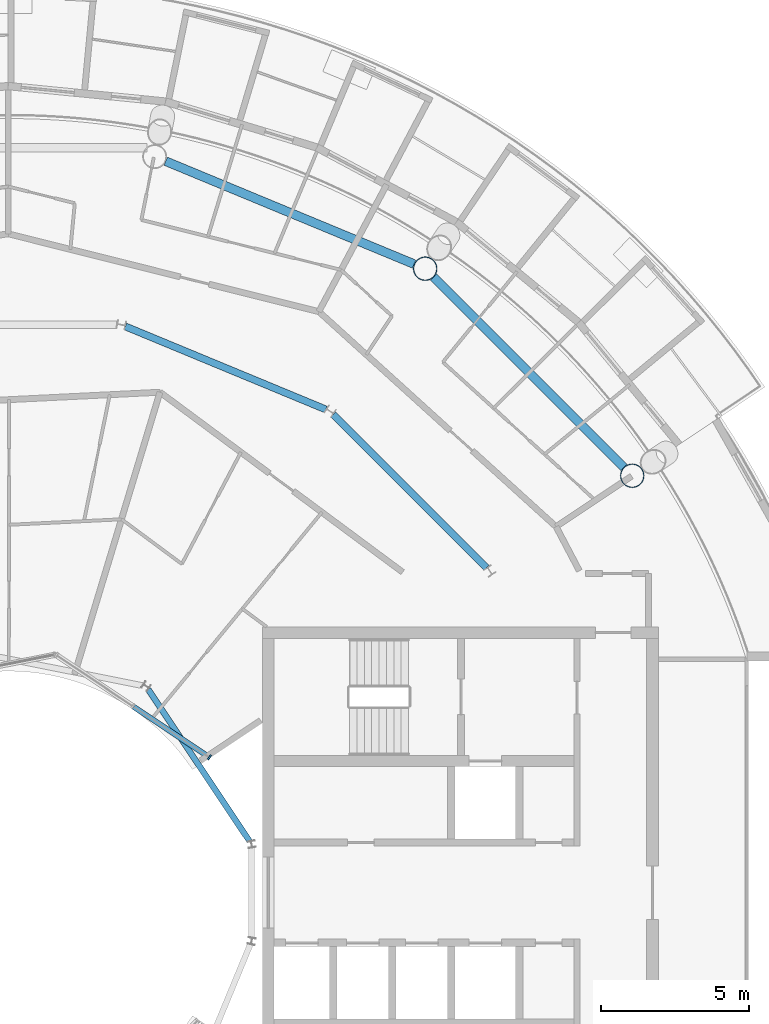
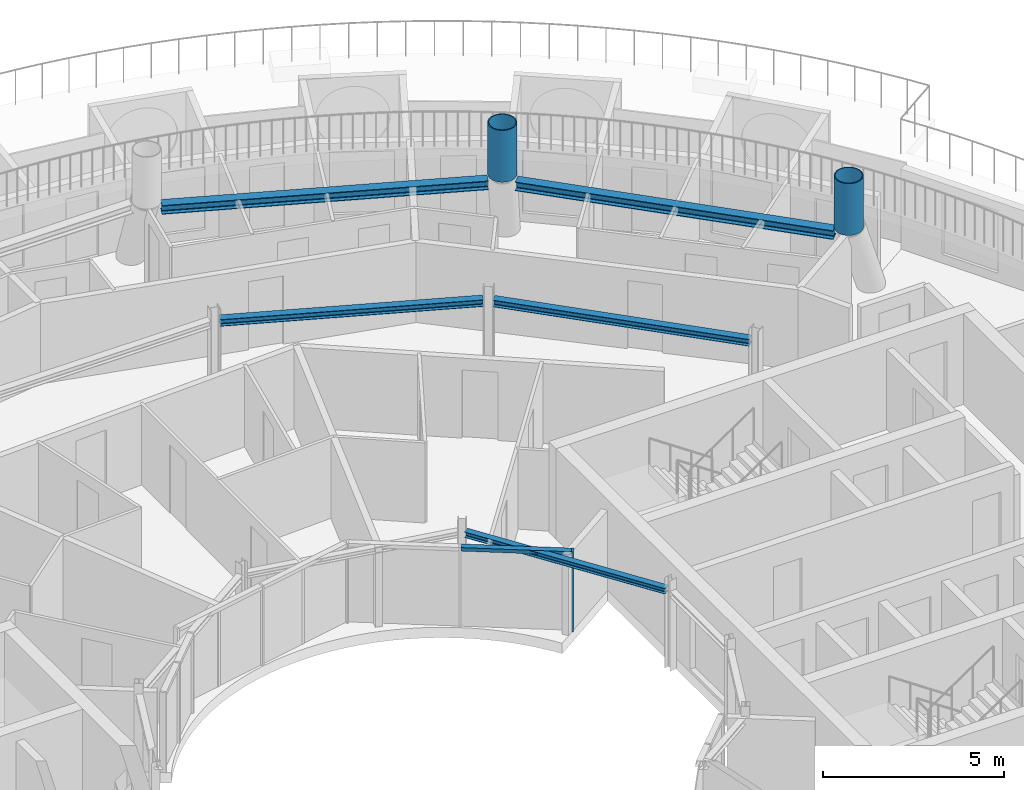
# One storey, part 10 of 29: 5 beams, 4 members, 1 element without a shape of its own.
"""IFC4 building model written with IfcOpenShell, lengths in metres."""

from ifc_helpers import new_model, si_unit, direction, frame, origin, origin_2d, place, context, subcontext, project, spatial, rectangle, hollow_circle, i_section, extrude, material, layer, layer_set, material_profile, profile_set, type_object, element, aggregate, save


model = new_model("IFC4")

# Units and contexts
model_context = context("Model", 3, precision=1e-05, world=origin(), true_north=direction((0.0, 1.0)))
body_context = subcontext(model_context, "Body", "Model", "MODEL_VIEW")
ifc_project = project(units=[si_unit("LENGTHUNIT", "METRE"), si_unit("AREAUNIT", "SQUARE_METRE"), si_unit("VOLUMEUNIT", "CUBIC_METRE"), si_unit("PLANEANGLEUNIT", "RADIAN"), si_unit("MASSUNIT", "GRAM", prefix="KILO")], contexts=[model_context])

# Site, building, storey
site_placement = place(None, origin())
site = spatial("IfcSite", under=ifc_project, at=site_placement, CompositionType="ELEMENT")
building_placement = place(site_placement, origin())
building = spatial("IfcBuilding", under=site, at=building_placement, Name="Maasbend Ring Residences", CompositionType="ELEMENT")
storey_placement = place(building_placement, frame((0.0, 0.0, 234.050048828125)))
storey = spatial("IfcBuildingStorey", under=building, at=storey_placement, Name="L67", CompositionType="ELEMENT", Elevation=234.050048828125)

# Curtain wall, members
ifc_material_1 = material(Name="Aluminium and clear glass", Category="aluminium")
ifc_layer = layer(ifc_material_1, 0.179931640625)
ifc_layer_set = layer_set([ifc_layer], Name="CW-W")
curtain_wall_type = type_object("IfcCurtainWallType", Name="CW-W", PredefinedType="NOTDEFINED", material=ifc_layer_set)
curtain_wall_placement = place(storey_placement, origin())
curtain_wall = element("IfcCurtainWall", 1, at=curtain_wall_placement, inside=storey, type_object=curtain_wall_type, Name="Well curtain wall N1", PredefinedType="NOTDEFINED")
ifc_material_2 = material(Name="Aluminium 6063-T6", Category="aluminium")
ifc_material_profile_1 = material_profile(ifc_material_2, rectangle(XDim=0.179931640625, YDim=0.06005859375, at=origin_2d()), Name="AL 180x60")
ifc_profile_set_1 = profile_set([ifc_material_profile_1], Name="Aluminium 6063-T6")
member_type_1 = type_object("IfcMemberType", Name="CWM-W", PredefinedType="MULLION", material=ifc_profile_set_1)
member_1_placement = place(storey_placement, frame((6.805908203125, 4.580810546875, 0.0), z_axis=(0.0, 0.0, 1.0), x_axis=(-0.55557023302, -0.831469612303, 0.0)))
member_1 = element("IfcMember", 2, at=member_1_placement, type_object=member_type_1, Name="Mullion well face", PredefinedType="MULLION", context=body_context, shape_type="SweptSolid", body=[
    extrude(rectangle(XDim=0.179931640625, YDim=0.06005859375, at=origin_2d()), origin(), (0.0, 0.0, 1.0), 2.699951171875),
])
ifc_material_3 = material(Name="Aluminium 6063-T6", Category="aluminium")
ifc_material_profile_2 = material_profile(ifc_material_3, rectangle(XDim=0.179931640625, YDim=0.1201171875, at=origin_2d()), Name="AL 180x120")
ifc_profile_set_2 = profile_set([ifc_material_profile_2], Name="Aluminium 6063-T6")
member_type_2 = type_object("IfcMemberType", Name="CWT-W", PredefinedType="USERDEFINED", material=ifc_profile_set_2)
member_2_placement = place(storey_placement, frame((6.781005859375, 4.59765625, 2.639892578125), z_axis=(-0.831496422459, 0.555530106689, 0.0), x_axis=(-0.555530106689, -0.831496422459, 0.0)))
member_2 = element("IfcMember", 3, at=member_2_placement, type_object=member_type_2, Name="Transom well face", ObjectType="TRANSOM", PredefinedType="USERDEFINED", context=body_context, shape_type="SweptSolid", body=[
    extrude(rectangle(XDim=0.179931640625, YDim=0.1201171875, at=origin_2d()), origin(), (0.0, 0.0, 1.0), 3.053955078125),
])
aggregate(curtain_wall, [member_1, member_2])

# Members
ifc_material_4 = material(Name="Steel S460NH", Category="steel")
ifc_material_profile_3 = material_profile(ifc_material_4, hollow_circle(Radius=0.406494140625, WallThickness=0.030029296875, at=origin_2d()), Name="Column node insert CHS 813x30")
ifc_profile_set_3 = profile_set([ifc_material_profile_3], Name="Steel S460NH")
member_type_3 = type_object("IfcMemberType", Name="Column node insert CHS 813x30", PredefinedType="POST", material=ifc_profile_set_3)
for number, where, z_axis, x_axis, name in (
    (4, (21.119384765625, 14.111572265625, 2.800048828125), (0.0, 0.0, 1.0), (1.0, 0.0, 0.0), "Column node insert R2"),
    (5, (14.111572265625, 21.119384765625, 2.800048828125), (0.0, 0.0, 1.0), (1.0, 0.0, 0.0), "Column node insert R3"),
):
    element("IfcMember", number, at=place(storey_placement, frame(where, z_axis=z_axis, x_axis=x_axis)), inside=storey, type_object=member_type_3, Name=name, PredefinedType="POST", context=body_context, shape_type="SweptSolid", body=[
        extrude(hollow_circle(Radius=0.406494140625, WallThickness=0.030029296875, at=origin_2d()), origin(), (0.0, 0.0, 1.0), 1.75),
    ])

# Beams
ifc_material_5 = material(Name="Steel S355J2", Category="steel")
ifc_material_profile_4 = material_profile(ifc_material_5, i_section(OverallWidth=0.239990234375, OverallDepth=0.22998046875, WebThickness=0.007568359375, FlangeThickness=0.011962890625, FilletRadius=0.02099609375, at=origin_2d()), Name="HEA 240")
ifc_profile_set_4 = profile_set([ifc_material_profile_4], Name="Steel S355J2")
beam_type_1 = type_object("IfcBeamType", Name="Corridor ring beam HEA 240", PredefinedType="BEAM", material=ifc_profile_set_4)
beam_1_placement = place(storey_placement, frame((16.188720703125, 10.997314453125, 2.5849609375), z_axis=(-0.707106781187, 0.707106781187, 0.0), x_axis=(-0.707106781187, -0.707106781187, 0.0)))
element("IfcBeam", 6, at=beam_1_placement, inside=storey, type_object=beam_type_1, Name="Corridor ring beam", PredefinedType="BEAM", context=body_context, shape_type="SweptSolid", body=[
    extrude(i_section(OverallWidth=0.239990234375, OverallDepth=0.22998046875, WebThickness=0.007568359375, FlangeThickness=0.011962890625, FilletRadius=0.02099609375, at=origin_2d()), origin(), (0.0, 0.0, 1.0), 7.341796875),
])
beam_2_placement = place(storey_placement, frame((10.747802734375, 16.355224609375, 2.5849609375), z_axis=(-0.923875784142, 0.382692481603, 0.0), x_axis=(-0.382692481603, -0.923875784142, 0.0)))
element("IfcBeam", 7, at=beam_2_placement, inside=storey, type_object=beam_type_1, Name="Corridor ring beam", PredefinedType="BEAM", context=body_context, shape_type="SweptSolid", body=[
    extrude(i_section(OverallWidth=0.239990234375, OverallDepth=0.22998046875, WebThickness=0.007568359375, FlangeThickness=0.011962890625, FilletRadius=0.02099609375, at=origin_2d()), origin(), (0.0, 0.0, 1.0), 7.341552734375),
])
ifc_material_6 = material(Name="Steel S355J2", Category="steel")
ifc_material_profile_5 = material_profile(ifc_material_6, i_section(OverallWidth=0.300048828125, OverallDepth=0.300048828125, WebThickness=0.010986328125, FlangeThickness=0.01904296875, FilletRadius=0.027099609375, at=origin_2d()), Name="HEB 300")
ifc_profile_set_5 = profile_set([ifc_material_profile_5], Name="Steel S355J2")
beam_type_2 = type_object("IfcBeamType", Name="Spandrel ring beam HEB 300", PredefinedType="SPANDREL", material=ifc_profile_set_5)
for number, where, z_axis, x_axis, name in (
    (8, (20.831787109375, 14.39892578125, 2.550048828125), (-0.707106781187, 0.707106781187, 0.0), (-0.707106781187, -0.707106781187, 0.0), "Spandrel ring beam"),
    (9, (13.73583984375, 21.27490234375, 2.550048828125), (-0.923880768897, 0.382680447453, 0.0), (-0.382680447453, -0.923880768897, 0.0), "Spandrel ring beam"),
):
    element("IfcBeam", number, at=place(storey_placement, frame(where, z_axis=z_axis, x_axis=x_axis)), inside=storey, type_object=beam_type_2, Name=name, PredefinedType="SPANDREL", context=body_context, shape_type="SweptSolid", body=[
        extrude(i_section(OverallWidth=0.300048828125, OverallDepth=0.300048828125, WebThickness=0.010986328125, FlangeThickness=0.01904296875, FilletRadius=0.027099609375, at=origin_2d()), origin(), (0.0, 0.0, 1.0), 9.097412109375),
    ])
ifc_material_7 = material(Name="Steel S355J2", Category="steel")
ifc_material_profile_6 = material_profile(ifc_material_7, i_section(OverallWidth=0.199951171875, OverallDepth=0.18994140625, WebThickness=0.006591796875, FlangeThickness=0.010009765625, FilletRadius=0.01806640625, at=origin_2d()), Name="HEA 200")
ifc_profile_set_6 = profile_set([ifc_material_profile_6], Name="Steel S355J2")
beam_type_3 = type_object("IfcBeamType", Name="Well edge beam HEA 200", PredefinedType="BEAM", material=ifc_profile_set_6)
beam_3_placement = place(storey_placement, frame((8.16943359375, 1.7421875, 2.60498046875), z_axis=(-0.555547729421, 0.831484648286, 0.0), x_axis=(-0.831484648286, -0.555547729421, 0.0)))
element("IfcBeam", 10, at=beam_3_placement, inside=storey, type_object=beam_type_3, Name="Well edge beam", PredefinedType="BEAM", context=body_context, shape_type="SweptSolid", body=[
    extrude(i_section(OverallWidth=0.199951171875, OverallDepth=0.18994140625, WebThickness=0.006591796875, FlangeThickness=0.010009765625, FilletRadius=0.01806640625, at=origin_2d()), origin(), (0.0, 0.0, 1.0), 6.18017578125),
])

save(model, "model.ifc")
